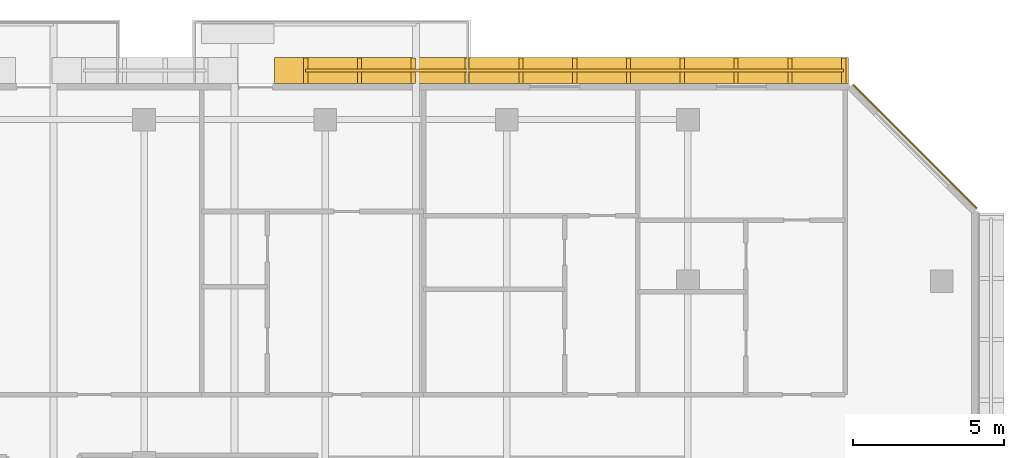
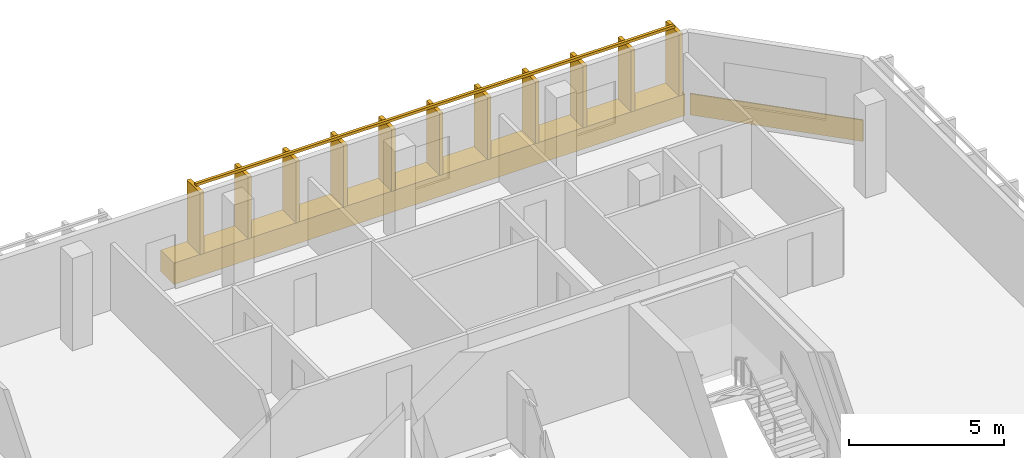
# One storey, part 17 of 17: 2 coverings, 1 railing.
"""IFC4 building model written with IfcOpenShell, lengths in metres."""

from ifc_helpers import new_model, si_unit, direction, frame, origin, origin_2d, place, context, subcontext, project, spatial, rectangle, extrude, material, layer, layer_set, type_object, element, save


model = new_model("IFC4")

# Units and contexts
model_context = context("Model", 3, precision=1e-05, world=origin(), true_north=direction((0.0, 1.0)))
body_context = subcontext(model_context, "Body", "Model", "MODEL_VIEW")
ifc_project = project(units=[si_unit("LENGTHUNIT", "METRE"), si_unit("AREAUNIT", "SQUARE_METRE"), si_unit("VOLUMEUNIT", "CUBIC_METRE"), si_unit("PLANEANGLEUNIT", "RADIAN"), si_unit("MASSUNIT", "GRAM", prefix="KILO")], contexts=[model_context])

# Site, building, storey
site_placement = place(None, origin())
site = spatial("IfcSite", under=ifc_project, at=site_placement, CompositionType="ELEMENT")
building_placement = place(site_placement, origin())
building = spatial("IfcBuilding", under=site, at=building_placement, Name="Tanjung Sevakor Pilgrim Tower", CompositionType="ELEMENT")
storey_placement = place(building_placement, frame((0.0, 0.0, 219.1201171875)))
storey = spatial("IfcBuildingStorey", under=building, at=storey_placement, Name="L61", CompositionType="ELEMENT", Elevation=219.1201171875)

# Coverings
ifc_material_1 = material(Name="Reconstructed Limestone Cladding", Category="masonry")
ifc_layer = layer(ifc_material_1, 0.044921875)
ifc_layer_set = layer_set([ifc_layer], Name="COV-CLAD-LIMESTONE")
covering_type = type_object("IfcCoveringType", Name="COV-CLAD-LIMESTONE", PredefinedType="CLADDING", material=ifc_layer_set)
covering_1_placement = place(storey_placement, frame((97.515869140625, 53.06591796875, 0.009765625), z_axis=(0.0, 0.0, 1.0), x_axis=(-0.707106781187, 0.707106781187, 0.0)))
element("IfcCovering", 1, at=covering_1_placement, inside=storey, type_object=covering_type, Name="L61 Warm Limestone Sill Spandrel EW-CHM-L61-MAIN-7-1", PredefinedType="CLADDING", context=body_context, shape_type="SweptSolid", body=[
    extrude(rectangle(XDim=5.7685546875, YDim=0.044921875, at=origin_2d()), origin(), (0.0, 0.0, 1.0), 0.840087890625),
])
covering_2_placement = place(storey_placement, frame((85.812255859375, 55.580078125, 0.009765625), z_axis=(0.0, 0.0, 1.0), x_axis=(-1.0, 0.0, 0.0)))
element("IfcCovering", 2, at=covering_2_placement, inside=storey, type_object=covering_type, Name="L61 Warm Limestone Sill Spandrel EW-L61-MAIN-9-1", PredefinedType="CLADDING", context=body_context, shape_type="SweptSolid", body=[
    extrude(rectangle(XDim=19.00439453125, YDim=0.860107421875, at=origin_2d()), origin(), (0.0, 0.0, 1.0), 0.840087890625),
])

# Railing
ifc_material_2 = material(Name="Anodised Bronze Aluminium 6063-T6", Category="aluminium")
railing_type = type_object("IfcRailingType", Name="RL-FIN-SCREEN", PredefinedType="BALUSTRADE", material=ifc_material_2)
railing_placement = place(storey_placement, frame((95.154296875, 55.574951171875, 0.83984375)))
element("IfcRailing", 3, at=railing_placement, inside=storey, type_object=railing_type, Name="L61 Vertical Bronze-Gold Solar Fin Screen FNSCR-EW-L61-MAIN-9-1", PredefinedType="BALUSTRADE", context=body_context, shape_type="SweptSolid", body=[
    extrude(rectangle(XDim=0.105, YDim=0.105), frame((0.0, 0.0, 2.487548828125), z_axis=(-1.0, 0.0, 0.0), x_axis=(0.0, -1.0, 0.0)), (0.0, 0.0, 1.0), 17.80419921875),
    extrude(rectangle(XDim=0.14, YDim=0.85), origin(), (0.0, 0.0, 1.0), 2.43505859375),
    extrude(rectangle(XDim=0.14, YDim=0.85), frame((-1.780517578125, 0.0, 0.0)), (0.0, 0.0, 1.0), 2.43505859375),
    extrude(rectangle(XDim=0.14, YDim=0.85), frame((-3.560791015625, 0.0, 0.0)), (0.0, 0.0, 1.0), 2.43505859375),
    extrude(rectangle(XDim=0.14, YDim=0.85), frame((-5.34130859375, 0.0, 0.0)), (0.0, 0.0, 1.0), 2.43505859375),
    extrude(rectangle(XDim=0.14, YDim=0.85), frame((-7.12158203125, 0.0, 0.0)), (0.0, 0.0, 1.0), 2.43505859375),
    extrude(rectangle(XDim=0.14, YDim=0.85), frame((-8.902099609375, 0.0, 0.0)), (0.0, 0.0, 1.0), 2.43505859375),
    extrude(rectangle(XDim=0.14, YDim=0.85), frame((-10.6826171875, 0.0, 0.0)), (0.0, 0.0, 1.0), 2.43505859375),
    extrude(rectangle(XDim=0.14, YDim=0.85), frame((-12.462890625, 0.0, 0.0)), (0.0, 0.0, 1.0), 2.43505859375),
    extrude(rectangle(XDim=0.14, YDim=0.85), frame((-14.243408203125, 0.0, 0.0)), (0.0, 0.0, 1.0), 2.43505859375),
    extrude(rectangle(XDim=0.14, YDim=0.85), frame((-16.023681640625, 0.0, 0.0)), (0.0, 0.0, 1.0), 2.43505859375),
    extrude(rectangle(XDim=0.14, YDim=0.85), frame((-17.80419921875, 0.0, 0.0)), (0.0, 0.0, 1.0), 2.43505859375),
])

save(model, "model.ifc")
